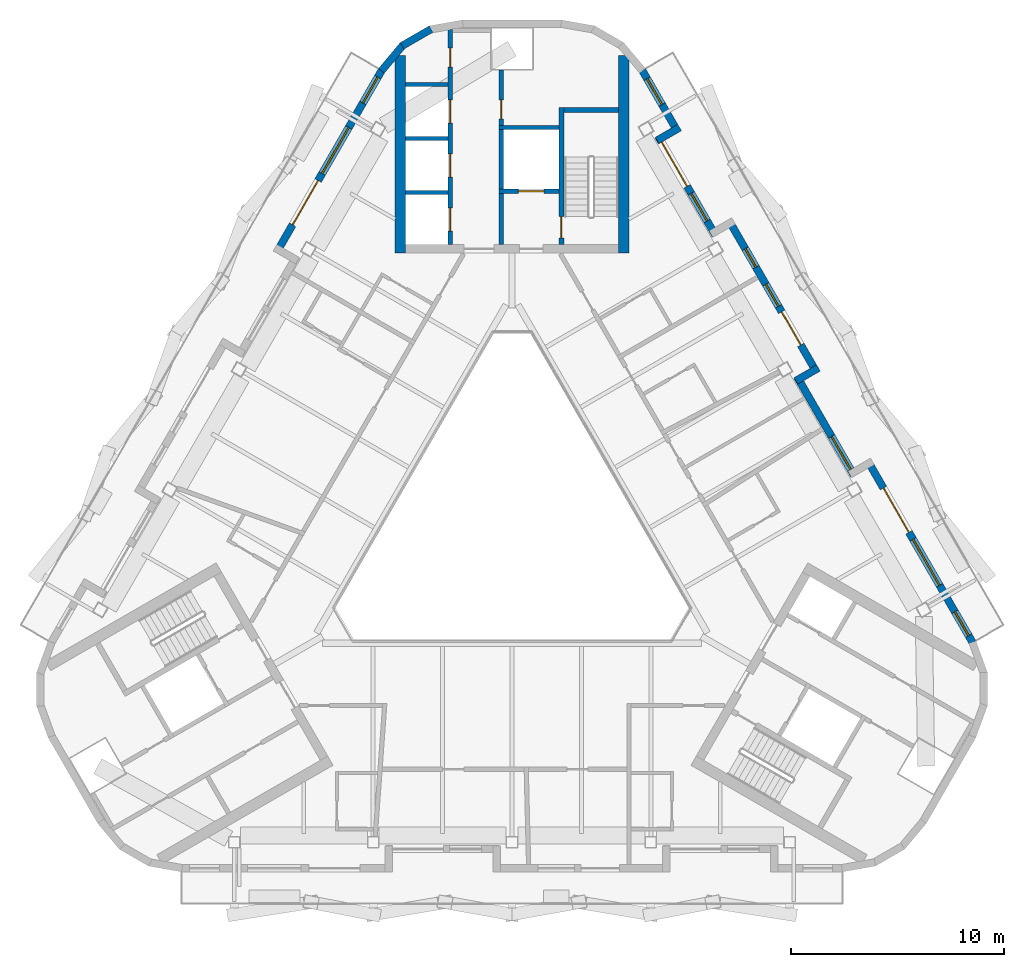
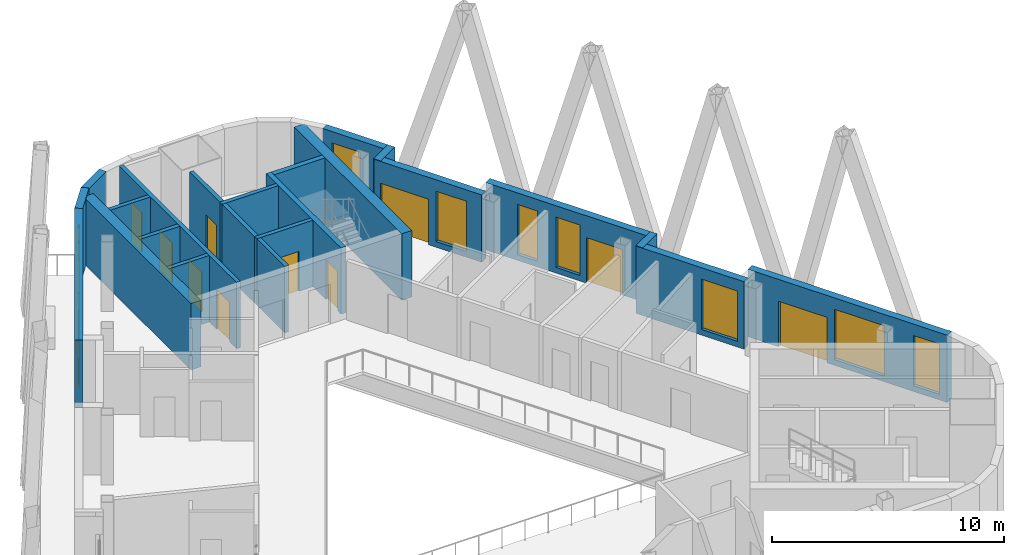
# One storey, part 6 of 11: 23 walls, 11 doors, 9 windows, 20 openings.
"""IFC4 building model written with IfcOpenShell, lengths in metres."""

from ifc_helpers import new_model, si_unit, direction, frame, frame_2d, origin, place, context, subcontext, project, spatial, rectangle, extrude, material, layer, layer_set, type_object, element, fill, save


model = new_model("IFC4")

# Units and contexts
model_context = context("Model", 3, precision=1e-05, world=origin(), true_north=direction((0.0, 1.0)))
body_context = subcontext(model_context, "Body", "Model", "MODEL_VIEW")
ifc_project = project(units=[si_unit("LENGTHUNIT", "METRE"), si_unit("AREAUNIT", "SQUARE_METRE"), si_unit("VOLUMEUNIT", "CUBIC_METRE"), si_unit("PLANEANGLEUNIT", "RADIAN"), si_unit("MASSUNIT", "GRAM", prefix="KILO")], contexts=[model_context])

# Site, building, storey
site_placement = place(None, origin())
site = spatial("IfcSite", under=ifc_project, at=site_placement, CompositionType="ELEMENT")
building_placement = place(site_placement, origin())
building = spatial("IfcBuilding", under=site, at=building_placement, Name="Apuvela Tower Hotel", CompositionType="ELEMENT")
storey_placement = place(building_placement, frame((0.0, 0.0, 313.300048828125)))
storey = spatial("IfcBuildingStorey", under=building, at=storey_placement, Name="L78", CompositionType="ELEMENT", Elevation=313.300048828125)

# Walls
ifc_material_1 = material(Name="Concrete C50/60", Category="concrete")
ifc_layer_1 = layer(ifc_material_1, 0.5)
ifc_layer_set_1 = layer_set([ifc_layer_1], Name="COR-WALL-CORE-500")
wall_type_1 = type_object("IfcWallType", Name="COR-WALL-CORE-500", PredefinedType="SHEAR", material=ifc_layer_set_1)
for number, where, z_axis, x_axis, name in (
    (1, (5.25, 12.89990234375, 0.0), (0.0, 0.0, 1.0), (0.0, 1.0, 0.0), "Core wall N"),
    (2, (-5.25, 12.89990234375, 0.0), (0.0, 0.0, 1.0), (0.0, 1.0, 0.0), "Core wall N"),
):
    element("IfcWall", number, at=place(storey_placement, frame(where, z_axis=z_axis, x_axis=x_axis)), inside=storey, type_object=wall_type_1, Name=name, PredefinedType="SHEAR", context=body_context, shape_type="SweptSolid", body=[
        extrude(rectangle(XDim=9.28271484375, YDim=0.5, at=frame_2d((4.641357421875, 0.0))), origin(), (0.0, 0.0, 1.0), 3.5),
    ])
ifc_layer_2 = layer(ifc_material_1, 0.199951171875)
ifc_layer_set_2 = layer_set([ifc_layer_2], Name="COR-WALL-SHAFT-200")
wall_type_2 = type_object("IfcWallType", Name="COR-WALL-SHAFT-200", PredefinedType="SHEAR", material=ifc_layer_set_2)
wall_1_placement = place(storey_placement, frame((2.199951171875, 18.800048828125, 0.0), z_axis=(0.0, 0.0, 1.0), x_axis=(-1.0, 0.0, 0.0)))
element("IfcWall", 3, at=wall_1_placement, inside=storey, type_object=wall_type_2, Name="Shaft wall N", PredefinedType="SHEAR", context=body_context, shape_type="SweptSolid", body=[
    extrude(rectangle(XDim=2.800048828125, YDim=0.199951171875, at=frame_2d((1.39990234375, 0.0))), origin(), (0.0, 0.0, 1.0), 3.5),
])

# Wall, opening, door
wall_2_placement = place(storey_placement, frame((2.199951171875, 15.800048828125, 0.0), z_axis=(0.0, 0.0, 1.0), x_axis=(-1.0, 0.0, 0.0)))
wall_2 = element("IfcWall", 4, at=wall_2_placement, inside=storey, type_object=wall_type_2, Name="Shaft wall N", PredefinedType="SHEAR", context=body_context, shape_type="SweptSolid", body=[
    extrude(rectangle(XDim=2.800048828125, YDim=0.199951171875, at=frame_2d((1.39990234375, 0.0))), origin(), (0.0, 0.0, 1.0), 3.5),
])
opening_1_placement = place(wall_2_placement, frame((0.699951171875, 0.0, 0.0)))
opening_1 = element("IfcOpeningElement", 5, at=opening_1_placement, cuts=wall_2, Name="Opening N-LD-FS1", PredefinedType="OPENING", context=body_context, shape_type="SweptSolid", body=[
    extrude(rectangle(XDim=1.199951171875, YDim=2.10009765625, at=frame_2d((0.60009765625, 1.050048828125))), frame((0.0, 0.10986328125, 0.0), z_axis=(0.0, -1.0, 0.0), x_axis=(1.0, 0.0, 0.0)), (0.0, 0.0, 1.0), 0.219970703125),
])
ifc_material_2 = material(Name="Stainless steel lift landing door", Category="steel")
door_type_1 = type_object("IfcDoorType", Name="COR-LD-1200", OperationType="DOUBLE_DOOR_SLIDING", PredefinedType="DOOR", material=ifc_material_2)
door_1_placement = place(opening_1_placement, origin())
door_1 = element("IfcDoor", 6, at=door_1_placement, inside=storey, type_object=door_type_1, Name="Lift landing door N-LD-FS1", OperationType="DOUBLE_DOOR_SLIDING", OverallHeight=2.10009765625, OverallWidth=1.199951171875, PredefinedType="DOOR", context=body_context, shape_type="SweptSolid", body=[
    extrude(rectangle(XDim=1.199951171875, YDim=2.10009765625, at=frame_2d((0.60009765625, 1.050048828125))), frame((0.0, 0.02490234375, 0.0), z_axis=(0.0, -1.0, 0.0), x_axis=(1.0, 0.0, 0.0)), (0.0, 0.0, 1.0), 0.050048828125),
])
fill(opening_1, door_1)

# Walls
wall_3_placement = place(storey_placement, frame((-0.5, 15.89990234375, 0.0), z_axis=(0.0, 0.0, 1.0), x_axis=(0.0, 1.0, 0.0)))
element("IfcWall", 7, at=wall_3_placement, inside=storey, type_object=wall_type_2, Name="Shaft wall N", PredefinedType="SHEAR", context=body_context, shape_type="SweptSolid", body=[
    extrude(rectangle(XDim=2.800048828125, YDim=0.199951171875, at=frame_2d((1.39990234375, 0.0))), origin(), (0.0, 0.0, 1.0), 3.5),
])
wall_4_placement = place(storey_placement, frame((-0.5, 13.300048828125, 0.0), z_axis=(0.0, 0.0, 1.0), x_axis=(0.0, 1.0, 0.0)))
element("IfcWall", 8, at=wall_4_placement, inside=storey, type_object=wall_type_2, Name="Shaft wall N", PredefinedType="SHEAR", context=body_context, shape_type="SweptSolid", body=[
    extrude(rectangle(XDim=2.39990234375, YDim=0.199951171875, at=frame_2d((1.199951171875, 0.0))), origin(), (0.0, 0.0, 1.0), 3.5),
])

# Wall, openings, doors
wall_5_placement = place(storey_placement, frame((-2.89990234375, 13.300048828125, 0.0), z_axis=(0.0, 0.0, 1.0), x_axis=(0.0, 1.0, 0.0)))
wall_5 = element("IfcWall", 9, at=wall_5_placement, inside=storey, type_object=wall_type_2, Name="Shaft wall N", PredefinedType="SHEAR", context=body_context, shape_type="SweptSolid", body=[
    extrude(rectangle(XDim=10.120849609375, YDim=0.199951171875, at=frame_2d((5.060546875, 0.0))), origin(), (0.0, 0.0, 1.0), 3.5),
])
opening_2_placement = place(wall_5_placement, frame((0.6201171875, 0.0, 0.0)))
opening_2 = element("IfcOpeningElement", 10, at=opening_2_placement, cuts=wall_5, Name="Opening N-LD-HR1", PredefinedType="OPENING", context=body_context, shape_type="SweptSolid", body=[
    extrude(rectangle(XDim=1.10009765625, YDim=2.10009765625, at=frame_2d((0.550048828125, 1.050048828125))), frame((0.0, 0.10986328125, 0.0), z_axis=(0.0, -1.0, 0.0), x_axis=(1.0, 0.0, 0.0)), (0.0, 0.0, 1.0), 0.219970703125),
])
opening_3_placement = place(wall_5_placement, frame((3.159912109375, 0.0, 0.0)))
opening_3 = element("IfcOpeningElement", 11, at=opening_3_placement, cuts=wall_5, Name="Opening N-LD-HR2", PredefinedType="OPENING", context=body_context, shape_type="SweptSolid", body=[
    extrude(rectangle(XDim=1.10009765625, YDim=2.10009765625, at=frame_2d((0.550048828125, 1.050048828125))), frame((0.0, 0.10986328125, 0.0), z_axis=(0.0, -1.0, 0.0), x_axis=(1.0, 0.0, 0.0)), (0.0, 0.0, 1.0), 0.219970703125),
])
opening_4_placement = place(wall_5_placement, frame((5.699951171875, 0.0, 0.0)))
opening_4 = element("IfcOpeningElement", 12, at=opening_4_placement, cuts=wall_5, Name="Opening N-LD-HR4", PredefinedType="OPENING", context=body_context, shape_type="SweptSolid", body=[
    extrude(rectangle(XDim=1.10009765625, YDim=2.10009765625, at=frame_2d((0.550048828125, 1.050048828125))), frame((0.0, 0.10986328125, 0.0), z_axis=(0.0, -1.0, 0.0), x_axis=(1.0, 0.0, 0.0)), (0.0, 0.0, 1.0), 0.219970703125),
])
opening_5_placement = place(wall_5_placement, frame((8.340087890625, 0.0, 0.0)))
opening_5 = element("IfcOpeningElement", 13, at=opening_5_placement, cuts=wall_5, Name="Opening N-RE4", PredefinedType="OPENING", context=body_context, shape_type="SweptSolid", body=[
    extrude(rectangle(XDim=0.89990234375, YDim=2.10009765625, at=frame_2d((0.449951171875, 1.050048828125))), frame((0.0, 0.10986328125, 0.0), z_axis=(0.0, -1.0, 0.0), x_axis=(1.0, 0.0, 0.0)), (0.0, 0.0, 1.0), 0.219970703125),
])
ifc_material_3 = material(Name="Steel fire door, powder coated", Category="steel")
door_type_2 = type_object("IfcDoorType", Name="COR-DR-900", OperationType="NOTDEFINED", PredefinedType="DOOR", material=ifc_material_3)
door_2_placement = place(opening_5_placement, origin())
door_2 = element("IfcDoor", 14, at=door_2_placement, inside=storey, type_object=door_type_2, Name="Store door N-RE4", OperationType="SINGLE_SWING_LEFT", OverallHeight=2.10009765625, OverallWidth=0.89990234375, PredefinedType="DOOR", context=body_context, shape_type="SweptSolid", body=[
    extrude(rectangle(XDim=0.89990234375, YDim=2.10009765625, at=frame_2d((0.449951171875, 1.050048828125))), frame((0.0, 0.02490234375, 0.0), z_axis=(0.0, -1.0, 0.0), x_axis=(1.0, 0.0, 0.0)), (0.0, 0.0, 1.0), 0.050048828125),
])
fill(opening_5, door_2)
door_type_3 = type_object("IfcDoorType", Name="COR-LD-1100", OperationType="DOUBLE_DOOR_SLIDING", PredefinedType="DOOR", material=ifc_material_2)
door_3_placement = place(opening_2_placement, origin())
door_3 = element("IfcDoor", 15, at=door_3_placement, inside=storey, type_object=door_type_3, Name="Lift landing door N-LD-HR1", OperationType="DOUBLE_DOOR_SLIDING", OverallHeight=2.10009765625, OverallWidth=1.10009765625, PredefinedType="DOOR", context=body_context, shape_type="SweptSolid", body=[
    extrude(rectangle(XDim=1.10009765625, YDim=2.10009765625, at=frame_2d((0.550048828125, 1.050048828125))), frame((0.0, 0.02490234375, 0.0), z_axis=(0.0, -1.0, 0.0), x_axis=(1.0, 0.0, 0.0)), (0.0, 0.0, 1.0), 0.050048828125),
])
fill(opening_2, door_3)
door_4_placement = place(opening_3_placement, origin())
door_4 = element("IfcDoor", 16, at=door_4_placement, inside=storey, type_object=door_type_3, Name="Lift landing door N-LD-HR2", OperationType="DOUBLE_DOOR_SLIDING", OverallHeight=2.10009765625, OverallWidth=1.10009765625, PredefinedType="DOOR", context=body_context, shape_type="SweptSolid", body=[
    extrude(rectangle(XDim=1.10009765625, YDim=2.10009765625, at=frame_2d((0.550048828125, 1.050048828125))), frame((0.0, 0.02490234375, 0.0), z_axis=(0.0, -1.0, 0.0), x_axis=(1.0, 0.0, 0.0)), (0.0, 0.0, 1.0), 0.050048828125),
])
fill(opening_3, door_4)
door_5_placement = place(opening_4_placement, origin())
door_5 = element("IfcDoor", 17, at=door_5_placement, inside=storey, type_object=door_type_3, Name="Lift landing door N-LD-HR4", OperationType="DOUBLE_DOOR_SLIDING", OverallHeight=2.10009765625, OverallWidth=1.10009765625, PredefinedType="DOOR", context=body_context, shape_type="SweptSolid", body=[
    extrude(rectangle(XDim=1.10009765625, YDim=2.10009765625, at=frame_2d((0.550048828125, 1.050048828125))), frame((0.0, 0.02490234375, 0.0), z_axis=(0.0, -1.0, 0.0), x_axis=(1.0, 0.0, 0.0)), (0.0, 0.0, 1.0), 0.050048828125),
])
fill(opening_4, door_5)

# Wall, opening, door
wall_6_placement = place(storey_placement, frame((-0.5, 18.89990234375, 0.0), z_axis=(0.0, 0.0, 1.0), x_axis=(0.0, 1.0, 0.0)))
wall_6 = element("IfcWall", 18, at=wall_6_placement, inside=storey, type_object=wall_type_2, Name="Shaft wall N", PredefinedType="SHEAR", context=body_context, shape_type="SweptSolid", body=[
    extrude(rectangle(XDim=2.607666015625, YDim=0.199951171875, at=frame_2d((1.3037109375, 0.0))), origin(), (0.0, 0.0, 1.0), 3.5),
])
opening_6_placement = place(wall_6_placement, frame((0.300048828125, 0.0, 0.0)))
opening_6 = element("IfcOpeningElement", 19, at=opening_6_placement, cuts=wall_6, Name="Opening N-RDU", PredefinedType="OPENING", context=body_context, shape_type="SweptSolid", body=[
    extrude(rectangle(XDim=0.89990234375, YDim=2.10009765625, at=frame_2d((0.449951171875, 1.050048828125))), frame((0.0, 0.10986328125, 0.0), z_axis=(0.0, -1.0, 0.0), x_axis=(1.0, 0.0, 0.0)), (0.0, 0.0, 1.0), 0.219970703125),
])
door_6_placement = place(opening_6_placement, frame((0.89990234375, 0.0, 0.0), z_axis=(0.0, 0.0, 1.0), x_axis=(-1.0, 0.0, 0.0)))
door_6 = element("IfcDoor", 20, at=door_6_placement, inside=storey, type_object=door_type_2, Name="Store door N-RDU", OperationType="SINGLE_SWING_RIGHT", OverallHeight=2.10009765625, OverallWidth=0.89990234375, PredefinedType="DOOR", context=body_context, shape_type="SweptSolid", body=[
    extrude(rectangle(XDim=0.89990234375, YDim=2.10009765625, at=frame_2d((0.449951171875, 1.050048828125))), frame((0.0, 0.02490234375, 0.0), z_axis=(0.0, -1.0, 0.0), x_axis=(1.0, 0.0, 0.0)), (0.0, 0.0, 1.0), 0.050048828125),
])
fill(opening_6, door_6)

# Walls
for number, where, z_axis, x_axis, name in (
    (21, (-3.0, 15.739990234375, 0.0), (0.0, 0.0, 1.0), (-1.0, 0.0, 0.0), "Shaft wall N"),
    (22, (-3.0, 18.280029296875, 0.0), (0.0, 0.0, 1.0), (-1.0, 0.0, 0.0), "Shaft wall N"),
    (23, (-3.0, 20.820068359375, 0.0), (0.0, 0.0, 1.0), (-1.0, 0.0, 0.0), "Shaft wall N"),
):
    element("IfcWall", number, at=place(storey_placement, frame(where, z_axis=z_axis, x_axis=x_axis)), inside=storey, type_object=wall_type_2, Name=name, PredefinedType="SHEAR", context=body_context, shape_type="SweptSolid", body=[
        extrude(rectangle(XDim=2.0, YDim=0.199951171875, at=frame_2d((1.0, 0.0))), origin(), (0.0, 0.0, 1.0), 3.5),
    ])

# Wall, opening, door
ifc_layer_3 = layer(ifc_material_1, 0.25)
ifc_layer_set_3 = layer_set([ifc_layer_3], Name="COR-WALL-STAIR-250")
wall_type_3 = type_object("IfcWallType", Name="COR-WALL-STAIR-250", PredefinedType="SHEAR", material=ifc_layer_set_3)
wall_7_placement = place(storey_placement, frame((2.324951171875, 13.300048828125, 0.0), z_axis=(0.0, 0.0, 1.0), x_axis=(0.0, 1.0, 0.0)))
wall_7 = element("IfcWall", 24, at=wall_7_placement, inside=storey, type_object=wall_type_3, Name="Stair wall N", PredefinedType="SHEAR", context=body_context, shape_type="SweptSolid", body=[
    extrude(rectangle(XDim=6.449951171875, YDim=0.25, at=frame_2d((3.22509765625, 0.0))), origin(), (0.0, 0.0, 1.0), 3.5),
])
opening_7_placement = place(wall_7_placement, frame((0.300048828125, 0.0, 0.0)))
opening_7 = element("IfcOpeningElement", 25, at=opening_7_placement, cuts=wall_7, Name="Opening N-SD", PredefinedType="OPENING", context=body_context, shape_type="SweptSolid", body=[
    extrude(rectangle(XDim=1.0, YDim=2.10009765625, at=frame_2d((0.5, 1.050048828125))), frame((0.0, 0.135009765625, 0.0), z_axis=(0.0, -1.0, 0.0), x_axis=(1.0, 0.0, 0.0)), (0.0, 0.0, 1.0), 0.27001953125),
])
door_type_4 = type_object("IfcDoorType", Name="COR-SD-1000", OperationType="NOTDEFINED", PredefinedType="DOOR", material=ifc_material_3)
door_7_placement = place(opening_7_placement, frame((1.0, 0.0, 0.0), z_axis=(0.0, 0.0, 1.0), x_axis=(-1.0, 0.0, 0.0)))
door_7 = element("IfcDoor", 26, at=door_7_placement, inside=storey, type_object=door_type_4, Name="Stair door N-SD", OperationType="SINGLE_SWING_LEFT", OverallHeight=2.10009765625, OverallWidth=1.0, PredefinedType="DOOR", context=body_context, shape_type="SweptSolid", body=[
    extrude(rectangle(XDim=1.0, YDim=2.10009765625, at=frame_2d((0.5, 1.050048828125))), frame((0.0, 0.02490234375, 0.0), z_axis=(0.0, -1.0, 0.0), x_axis=(1.0, 0.0, 0.0)), (0.0, 0.0, 1.0), 0.050048828125),
])
fill(opening_7, door_7)

# Wall
wall_8_placement = place(storey_placement, frame((5.0, 19.625, 0.0), z_axis=(0.0, 0.0, 1.0), x_axis=(-1.0, 0.0, 0.0)))
element("IfcWall", 27, at=wall_8_placement, inside=storey, type_object=wall_type_3, Name="Stair wall N", PredefinedType="SHEAR", context=body_context, shape_type="SweptSolid", body=[
    extrude(rectangle(XDim=2.550048828125, YDim=0.25, at=frame_2d((1.27490234375, 0.0))), origin(), (0.0, 0.0, 1.0), 3.5),
])

# Wall, openings, door, windows
ifc_material_4 = material(Name="Concrete C40/50, dark pigmented precast panel", Category="concrete")
ifc_layer_4 = layer(ifc_material_4, 0.35009765625)
ifc_layer_set_4 = layer_set([ifc_layer_4], Name="ENV-WALL-350")
wall_type_4 = type_object("IfcWallType", Name="ENV-WALL-350", PredefinedType="SOLIDWALL", material=ifc_layer_set_4)
wall_9_placement = place(storey_placement, frame((-6.12451171875, 21.496826171875, 0.0), z_axis=(0.0, 0.0, 1.0), x_axis=(-0.500002137087, -0.866024169933, 0.0)))
wall_9 = element("IfcWall", 28, at=wall_9_placement, inside=storey, type_object=wall_type_4, Name="External wall L78-01", PredefinedType="SOLIDWALL", context=body_context, shape_type="SweptSolid", body=[
    extrude(rectangle(XDim=9.923828125, YDim=0.35009765625, at=frame_2d((4.9619140625, 0.0))), origin(), (0.0, 0.0, 1.0), 3.550048828125),
])
opening_8_placement = place(wall_9_placement, frame((0.380615234375, 0.0, 0.300048828125)))
opening_8 = element("IfcOpeningElement", 29, at=opening_8_placement, cuts=wall_9, Name="Opening WN14", PredefinedType="OPENING", context=body_context, shape_type="SweptSolid", body=[
    extrude(rectangle(XDim=1.39990234375, YDim=2.64990234375, at=frame_2d((0.699951171875, 1.324951171875))), frame((0.0, 0.18505859375, 0.0), z_axis=(0.0, -1.0, 0.0), x_axis=(1.0, 0.0, 0.0)), (0.0, 0.0, 1.0), 0.3701171875),
])
opening_9_placement = place(wall_9_placement, frame((5.99853515625, 0.0, 0.0)))
opening_9 = element("IfcOpeningElement", 30, at=opening_9_placement, cuts=wall_9, Name="Opening BD24", PredefinedType="OPENING", context=body_context, shape_type="SweptSolid", body=[
    extrude(rectangle(XDim=2.39990234375, YDim=2.39990234375, at=frame_2d((1.199951171875, 1.199951171875))), frame((0.0, 0.18505859375, 0.0), z_axis=(0.0, -1.0, 0.0), x_axis=(1.0, 0.0, 0.0)), (0.0, 0.0, 1.0), 0.3701171875),
])
opening_10_placement = place(wall_9_placement, frame((3.118408203125, 0.0, 0.300048828125)))
opening_10 = element("IfcOpeningElement", 31, at=opening_10_placement, cuts=wall_9, Name="Opening WN25", PredefinedType="OPENING", context=body_context, shape_type="SweptSolid", body=[
    extrude(rectangle(XDim=2.5, YDim=2.64990234375, at=frame_2d((1.25, 1.324951171875))), frame((0.0, 0.18505859375, 0.0), z_axis=(0.0, -1.0, 0.0), x_axis=(1.0, 0.0, 0.0)), (0.0, 0.0, 1.0), 0.3701171875),
])
ifc_material_5 = material(Name="Aluminium 6063-T6, dark bronze anodised frame with dark tinted laminated glass", Category="aluminium")
door_type_5 = type_object("IfcDoorType", Name="ENV-DOOR-BALCONY-2400x2400", OperationType="SLIDING_TO_LEFT", PredefinedType="DOOR", material=ifc_material_5)
door_8_placement = place(opening_9_placement, frame((2.39990234375, 0.0, 0.0), z_axis=(0.0, 0.0, 1.0), x_axis=(-1.0, 0.0, 0.0)))
door_8 = element("IfcDoor", 32, at=door_8_placement, inside=storey, type_object=door_type_5, Name="Balcony door BD24", OperationType="SLIDING_TO_LEFT", OverallHeight=2.39990234375, OverallWidth=2.39990234375, PredefinedType="DOOR", context=body_context, shape_type="SweptSolid", body=[
    extrude(rectangle(XDim=2.39990234375, YDim=2.39990234375, at=frame_2d((1.199951171875, 1.199951171875))), frame((0.0, 0.02490234375, 0.0), z_axis=(0.0, -1.0, 0.0), x_axis=(1.0, 0.0, 0.0)), (0.0, 0.0, 1.0), 0.050048828125),
])
fill(opening_9, door_8)
ifc_material_6 = material(Name="Glass, dark tinted laminated insulated glazing unit", Category="glass")
window_type_1 = type_object("IfcWindowType", Name="ENV-WIN-1400x2650", PartitioningType="SINGLE_PANEL", PredefinedType="WINDOW", material=ifc_material_6)
window_1_placement = place(opening_8_placement, origin())
window_1 = element("IfcWindow", 33, at=window_1_placement, inside=storey, type_object=window_type_1, Name="Window WN14", OverallHeight=2.64990234375, OverallWidth=1.39990234375, PartitioningType="SINGLE_PANEL", PredefinedType="WINDOW", context=body_context, shape_type="SweptSolid", body=[
    extrude(rectangle(XDim=1.39990234375, YDim=2.64990234375, at=frame_2d((0.699951171875, 1.324951171875))), frame((0.0, 0.030029296875, 0.0), z_axis=(0.0, -1.0, 0.0), x_axis=(1.0, 0.0, 0.0)), (0.0, 0.0, 1.0), 0.06005859375),
])
fill(opening_8, window_1)
window_type_2 = type_object("IfcWindowType", Name="ENV-WIN-2500x2650", PartitioningType="SINGLE_PANEL", PredefinedType="WINDOW", material=ifc_material_6)
window_2_placement = place(opening_10_placement, origin())
window_2 = element("IfcWindow", 34, at=window_2_placement, inside=storey, type_object=window_type_2, Name="Window WN25", OverallHeight=2.64990234375, OverallWidth=2.5, PartitioningType="SINGLE_PANEL", PredefinedType="WINDOW", context=body_context, shape_type="SweptSolid", body=[
    extrude(rectangle(XDim=2.5, YDim=2.64990234375, at=frame_2d((1.25, 1.324951171875))), frame((0.0, 0.030029296875, 0.0), z_axis=(0.0, -1.0, 0.0), x_axis=(1.0, 0.0, 0.0)), (0.0, 0.0, 1.0), 0.06005859375),
])
fill(opening_10, window_2)

wall_10_placement = place(storey_placement, frame((21.67919921875, -5.4443359375, 0.0), z_axis=(0.0, 0.0, 1.0), x_axis=(-0.500020587865, 0.866013517049, 0.0)))
wall_10 = element("IfcWall", 35, at=wall_10_placement, inside=storey, type_object=wall_type_4, Name="External wall L78-33", PredefinedType="SOLIDWALL", context=body_context, shape_type="SweptSolid", body=[
    extrude(rectangle(XDim=9.923828125, YDim=0.35009765625, at=frame_2d((4.9619140625, 0.0))), origin(), (0.0, 0.0, 1.0), 3.550048828125),
])
opening_11_placement = place(wall_10_placement, frame((0.381103515625, 0.0, 0.300048828125)))
opening_11 = element("IfcOpeningElement", 36, at=opening_11_placement, cuts=wall_10, Name="Opening WN13", PredefinedType="OPENING", context=body_context, shape_type="SweptSolid", body=[
    extrude(rectangle(XDim=1.300048828125, YDim=2.64990234375, at=frame_2d((0.64990234375, 1.324951171875))), frame((0.0, 0.18505859375, 0.0), z_axis=(0.0, -1.0, 0.0), x_axis=(1.0, 0.0, 0.0)), (0.0, 0.0, 1.0), 0.3701171875),
])
opening_12_placement = place(wall_10_placement, frame((5.99853515625, 0.0, 0.0)))
opening_12 = element("IfcOpeningElement", 37, at=opening_12_placement, cuts=wall_10, Name="Opening BD24", PredefinedType="OPENING", context=body_context, shape_type="SweptSolid", body=[
    extrude(rectangle(XDim=2.39990234375, YDim=2.39990234375, at=frame_2d((1.199951171875, 1.199951171875))), frame((0.0, 0.18505859375, 0.0), z_axis=(0.0, -1.0, 0.0), x_axis=(1.0, 0.0, 0.0)), (0.0, 0.0, 1.0), 0.3701171875),
])
opening_13_placement = place(wall_10_placement, frame((3.117919921875, 0.0, 0.300048828125)))
opening_13 = element("IfcOpeningElement", 38, at=opening_13_placement, cuts=wall_10, Name="Opening WN25", PredefinedType="OPENING", context=body_context, shape_type="SweptSolid", body=[
    extrude(rectangle(XDim=2.5, YDim=2.64990234375, at=frame_2d((1.25, 1.324951171875))), frame((0.0, 0.18505859375, 0.0), z_axis=(0.0, -1.0, 0.0), x_axis=(1.0, 0.0, 0.0)), (0.0, 0.0, 1.0), 0.3701171875),
])
door_9_placement = place(opening_12_placement, frame((2.39990234375, 0.0, 0.0), z_axis=(0.0, 0.0, 1.0), x_axis=(-1.0, 0.0, 0.0)))
door_9 = element("IfcDoor", 39, at=door_9_placement, inside=storey, type_object=door_type_5, Name="Balcony door BD24", OperationType="SLIDING_TO_LEFT", OverallHeight=2.39990234375, OverallWidth=2.39990234375, PredefinedType="DOOR", context=body_context, shape_type="SweptSolid", body=[
    extrude(rectangle(XDim=2.39990234375, YDim=2.39990234375, at=frame_2d((1.199951171875, 1.199951171875))), frame((0.0, 0.02490234375, 0.0), z_axis=(0.0, -1.0, 0.0), x_axis=(1.0, 0.0, 0.0)), (0.0, 0.0, 1.0), 0.050048828125),
])
fill(opening_12, door_9)
window_type_3 = type_object("IfcWindowType", Name="ENV-WIN-1300x2650", PartitioningType="SINGLE_PANEL", PredefinedType="WINDOW", material=ifc_material_6)
window_3_placement = place(opening_11_placement, origin())
window_3 = element("IfcWindow", 40, at=window_3_placement, inside=storey, type_object=window_type_3, Name="Window WN13", OverallHeight=2.64990234375, OverallWidth=1.300048828125, PartitioningType="SINGLE_PANEL", PredefinedType="WINDOW", context=body_context, shape_type="SweptSolid", body=[
    extrude(rectangle(XDim=1.300048828125, YDim=2.64990234375, at=frame_2d((0.64990234375, 1.324951171875))), frame((0.0, 0.030029296875, 0.0), z_axis=(0.0, -1.0, 0.0), x_axis=(1.0, 0.0, 0.0)), (0.0, 0.0, 1.0), 0.06005859375),
])
fill(opening_11, window_3)
window_4_placement = place(opening_13_placement, origin())
window_4 = element("IfcWindow", 41, at=window_4_placement, inside=storey, type_object=window_type_2, Name="Window WN25", OverallHeight=2.64990234375, OverallWidth=2.5, PartitioningType="SINGLE_PANEL", PredefinedType="WINDOW", context=body_context, shape_type="SweptSolid", body=[
    extrude(rectangle(XDim=2.5, YDim=2.64990234375, at=frame_2d((1.25, 1.324951171875))), frame((0.0, 0.030029296875, 0.0), z_axis=(0.0, -1.0, 0.0), x_axis=(1.0, 0.0, 0.0)), (0.0, 0.0, 1.0), 0.06005859375),
])
fill(opening_13, window_4)

# Wall, opening, window
wall_11_placement = place(storey_placement, frame((16.09765625, 2.4228515625, 0.0), z_axis=(0.0, 0.0, 1.0), x_axis=(-0.499996591357, 0.866027371756, 0.0)))
wall_11 = element("IfcWall", 42, at=wall_11_placement, inside=storey, type_object=wall_type_4, Name="External wall L78-35", PredefinedType="SOLIDWALL", context=body_context, shape_type="SweptSolid", body=[
    extrude(rectangle(XDim=5.37060546875, YDim=0.35009765625, at=frame_2d((2.685302734375, 0.0))), origin(), (0.0, 0.0, 1.0), 3.550048828125),
])
opening_14_placement = place(wall_11_placement, frame((0.3203125, 0.0, 0.300048828125)))
opening_14 = element("IfcOpeningElement", 43, at=opening_14_placement, cuts=wall_11, Name="Opening WN18", PredefinedType="OPENING", context=body_context, shape_type="SweptSolid", body=[
    extrude(rectangle(XDim=1.800048828125, YDim=2.64990234375, at=frame_2d((0.89990234375, 1.324951171875))), frame((0.0, 0.18505859375, 0.0), z_axis=(0.0, -1.0, 0.0), x_axis=(1.0, 0.0, 0.0)), (0.0, 0.0, 1.0), 0.3701171875),
])
window_type_4 = type_object("IfcWindowType", Name="ENV-WIN-1800x2650", PartitioningType="SINGLE_PANEL", PredefinedType="WINDOW", material=ifc_material_6)
window_5_placement = place(opening_14_placement, origin())
window_5 = element("IfcWindow", 44, at=window_5_placement, inside=storey, type_object=window_type_4, Name="Window WN18", OverallHeight=2.64990234375, OverallWidth=1.800048828125, PartitioningType="SINGLE_PANEL", PredefinedType="WINDOW", context=body_context, shape_type="SweptSolid", body=[
    extrude(rectangle(XDim=1.800048828125, YDim=2.64990234375, at=frame_2d((0.89990234375, 1.324951171875))), frame((0.0, 0.030029296875, 0.0), z_axis=(0.0, -1.0, 0.0), x_axis=(1.0, 0.0, 0.0)), (0.0, 0.0, 1.0), 0.06005859375),
])
fill(opening_14, window_5)

# Wall
wall_12_placement = place(storey_placement, frame((13.359375, 6.8759765625, 0.0), z_axis=(0.0, 0.0, 1.0), x_axis=(0.866092288191, 0.499884134912, 0.0)))
element("IfcWall", 45, at=wall_12_placement, inside=storey, type_object=wall_type_4, Name="External wall L78-36", PredefinedType="SOLIDWALL", context=body_context, shape_type="SweptSolid", body=[
    extrude(rectangle(XDim=1.219970703125, YDim=0.35009765625, at=frame_2d((0.60986328125, 0.0))), origin(), (0.0, 0.0, 1.0), 3.550048828125),
])

# Wall, openings, door, windows
wall_13_placement = place(storey_placement, frame((14.351806640625, 7.246826171875, 0.0), z_axis=(0.0, 0.0, 1.0), x_axis=(-0.499993893925, 0.8660289291, 0.0)))
wall_13 = element("IfcWall", 46, at=wall_13_placement, inside=storey, type_object=wall_type_4, Name="External wall L78-37", PredefinedType="SOLIDWALL", context=body_context, shape_type="SweptSolid", body=[
    extrude(rectangle(XDim=8.33056640625, YDim=0.35009765625, at=frame_2d((4.165283203125, 0.0))), origin(), (0.0, 0.0, 1.0), 3.550048828125),
])
opening_15_placement = place(wall_13_placement, frame((1.524658203125, 0.0, 0.0)))
opening_15 = element("IfcOpeningElement", 47, at=opening_15_placement, cuts=wall_13, Name="Opening BD18", PredefinedType="OPENING", context=body_context, shape_type="SweptSolid", body=[
    extrude(rectangle(XDim=1.800048828125, YDim=2.39990234375, at=frame_2d((0.89990234375, 1.199951171875))), frame((0.0, 0.18505859375, 0.0), z_axis=(0.0, -1.0, 0.0), x_axis=(1.0, 0.0, 0.0)), (0.0, 0.0, 1.0), 0.3701171875),
])
opening_16_placement = place(wall_13_placement, frame((3.62451171875, 0.0, 0.300048828125)))
opening_16 = element("IfcOpeningElement", 48, at=opening_16_placement, cuts=wall_13, Name="Opening WN12", PredefinedType="OPENING", context=body_context, shape_type="SweptSolid", body=[
    extrude(rectangle(XDim=1.199951171875, YDim=2.64990234375, at=frame_2d((0.60009765625, 1.324951171875))), frame((0.0, 0.18505859375, 0.0), z_axis=(0.0, -1.0, 0.0), x_axis=(1.0, 0.0, 0.0)), (0.0, 0.0, 1.0), 0.3701171875),
])
opening_17_placement = place(wall_13_placement, frame((5.750244140625, 0.0, 0.300048828125)))
opening_17 = element("IfcOpeningElement", 49, at=opening_17_placement, cuts=wall_13, Name="Opening WN10", PredefinedType="OPENING", context=body_context, shape_type="SweptSolid", body=[
    extrude(rectangle(XDim=1.0, YDim=2.64990234375, at=frame_2d((0.5, 1.324951171875))), frame((0.0, 0.18505859375, 0.0), z_axis=(0.0, -1.0, 0.0), x_axis=(1.0, 0.0, 0.0)), (0.0, 0.0, 1.0), 0.3701171875),
])
door_type_6 = type_object("IfcDoorType", Name="ENV-DOOR-BALCONY-1800x2400", OperationType="SLIDING_TO_LEFT", PredefinedType="DOOR", material=ifc_material_5)
door_10_placement = place(opening_15_placement, frame((1.800048828125, 0.0, 0.0), z_axis=(0.0, 0.0, 1.0), x_axis=(-1.0, 0.0, 0.0)))
door_10 = element("IfcDoor", 50, at=door_10_placement, inside=storey, type_object=door_type_6, Name="Balcony door BD18", OperationType="SLIDING_TO_LEFT", OverallHeight=2.39990234375, OverallWidth=1.800048828125, PredefinedType="DOOR", context=body_context, shape_type="SweptSolid", body=[
    extrude(rectangle(XDim=1.800048828125, YDim=2.39990234375, at=frame_2d((0.89990234375, 1.199951171875))), frame((0.0, 0.02490234375, 0.0), z_axis=(0.0, -1.0, 0.0), x_axis=(1.0, 0.0, 0.0)), (0.0, 0.0, 1.0), 0.050048828125),
])
fill(opening_15, door_10)
window_type_5 = type_object("IfcWindowType", Name="ENV-WIN-1000x2650", PartitioningType="SINGLE_PANEL", PredefinedType="WINDOW", material=ifc_material_6)
window_6_placement = place(opening_17_placement, origin())
window_6 = element("IfcWindow", 51, at=window_6_placement, inside=storey, type_object=window_type_5, Name="Window WN10", OverallHeight=2.64990234375, OverallWidth=1.0, PartitioningType="SINGLE_PANEL", PredefinedType="WINDOW", context=body_context, shape_type="SweptSolid", body=[
    extrude(rectangle(XDim=1.0, YDim=2.64990234375, at=frame_2d((0.5, 1.324951171875))), frame((0.0, 0.030029296875, 0.0), z_axis=(0.0, -1.0, 0.0), x_axis=(1.0, 0.0, 0.0)), (0.0, 0.0, 1.0), 0.06005859375),
])
fill(opening_17, window_6)
window_type_6 = type_object("IfcWindowType", Name="ENV-WIN-1200x2650", PartitioningType="SINGLE_PANEL", PredefinedType="WINDOW", material=ifc_material_6)
window_7_placement = place(opening_16_placement, origin())
window_7 = element("IfcWindow", 52, at=window_7_placement, inside=storey, type_object=window_type_6, Name="Window WN12", OverallHeight=2.64990234375, OverallWidth=1.199951171875, PartitioningType="SINGLE_PANEL", PredefinedType="WINDOW", context=body_context, shape_type="SweptSolid", body=[
    extrude(rectangle(XDim=1.199951171875, YDim=2.64990234375, at=frame_2d((0.60009765625, 1.324951171875))), frame((0.0, 0.030029296875, 0.0), z_axis=(0.0, -1.0, 0.0), x_axis=(1.0, 0.0, 0.0)), (0.0, 0.0, 1.0), 0.06005859375),
])
fill(opening_16, window_7)

# Wall, openings, door, window
wall_14_placement = place(storey_placement, frame((9.56689453125, 13.734375, 0.0), z_axis=(0.0, 0.0, 1.0), x_axis=(-0.499996591357, 0.866027371756, 0.0)))
wall_14 = element("IfcWall", 53, at=wall_14_placement, inside=storey, type_object=wall_type_4, Name="External wall L78-39", PredefinedType="SOLIDWALL", context=body_context, shape_type="SweptSolid", body=[
    extrude(rectangle(XDim=5.37060546875, YDim=0.35009765625, at=frame_2d((2.685302734375, 0.0))), origin(), (0.0, 0.0, 1.0), 3.550048828125),
])
opening_18_placement = place(wall_14_placement, frame((2.650390625, 0.0, 0.0)))
opening_18 = element("IfcOpeningElement", 54, at=opening_18_placement, cuts=wall_14, Name="Opening BD24", PredefinedType="OPENING", context=body_context, shape_type="SweptSolid", body=[
    extrude(rectangle(XDim=2.39990234375, YDim=2.39990234375, at=frame_2d((1.199951171875, 1.199951171875))), frame((0.0, 0.18505859375, 0.0), z_axis=(0.0, -1.0, 0.0), x_axis=(1.0, 0.0, 0.0)), (0.0, 0.0, 1.0), 0.3701171875),
])
opening_19_placement = place(wall_14_placement, frame((0.77001953125, 0.0, 0.300048828125)))
opening_19 = element("IfcOpeningElement", 55, at=opening_19_placement, cuts=wall_14, Name="Opening WN15", PredefinedType="OPENING", context=body_context, shape_type="SweptSolid", body=[
    extrude(rectangle(XDim=1.5, YDim=2.64990234375, at=frame_2d((0.75, 1.324951171875))), frame((0.0, 0.18505859375, 0.0), z_axis=(0.0, -1.0, 0.0), x_axis=(1.0, 0.0, 0.0)), (0.0, 0.0, 1.0), 0.3701171875),
])
door_11_placement = place(opening_18_placement, frame((2.39990234375, 0.0, 0.0), z_axis=(0.0, 0.0, 1.0), x_axis=(-1.0, 0.0, 0.0)))
door_11 = element("IfcDoor", 56, at=door_11_placement, inside=storey, type_object=door_type_5, Name="Balcony door BD24", OperationType="SLIDING_TO_LEFT", OverallHeight=2.39990234375, OverallWidth=2.39990234375, PredefinedType="DOOR", context=body_context, shape_type="SweptSolid", body=[
    extrude(rectangle(XDim=2.39990234375, YDim=2.39990234375, at=frame_2d((1.199951171875, 1.199951171875))), frame((0.0, 0.02490234375, 0.0), z_axis=(0.0, -1.0, 0.0), x_axis=(1.0, 0.0, 0.0)), (0.0, 0.0, 1.0), 0.050048828125),
])
fill(opening_18, door_11)
window_type_7 = type_object("IfcWindowType", Name="ENV-WIN-1500x2650", PartitioningType="SINGLE_PANEL", PredefinedType="WINDOW", material=ifc_material_6)
window_8_placement = place(opening_19_placement, origin())
window_8 = element("IfcWindow", 57, at=window_8_placement, inside=storey, type_object=window_type_7, Name="Window WN15", OverallHeight=2.64990234375, OverallWidth=1.5, PartitioningType="SINGLE_PANEL", PredefinedType="WINDOW", context=body_context, shape_type="SweptSolid", body=[
    extrude(rectangle(XDim=1.5, YDim=2.64990234375, at=frame_2d((0.75, 1.324951171875))), frame((0.0, 0.030029296875, 0.0), z_axis=(0.0, -1.0, 0.0), x_axis=(1.0, 0.0, 0.0)), (0.0, 0.0, 1.0), 0.06005859375),
])
fill(opening_19, window_8)

# Wall
wall_15_placement = place(storey_placement, frame((6.82861328125, 18.1875, 0.0), z_axis=(0.0, 0.0, 1.0), x_axis=(0.866042269935, 0.499970785833, 0.0)))
element("IfcWall", 58, at=wall_15_placement, inside=storey, type_object=wall_type_4, Name="External wall L78-40", PredefinedType="SOLIDWALL", context=body_context, shape_type="SweptSolid", body=[
    extrude(rectangle(XDim=1.2197265625, YDim=0.35009765625, at=frame_2d((0.60986328125, 0.0))), origin(), (0.0, 0.0, 1.0), 3.550048828125),
])

# Wall, opening, window
wall_16_placement = place(storey_placement, frame((7.821044921875, 18.558349609375, 0.0), z_axis=(0.0, 0.0, 1.0), x_axis=(-0.500000656212, 0.86602502492, 0.0)))
wall_16 = element("IfcWall", 59, at=wall_16_placement, inside=storey, type_object=wall_type_4, Name="External wall L78-41", PredefinedType="SOLIDWALL", context=body_context, shape_type="SweptSolid", body=[
    extrude(rectangle(XDim=3.39306640625, YDim=0.35009765625, at=frame_2d((1.696533203125, 0.0))), origin(), (0.0, 0.0, 1.0), 3.550048828125),
])
opening_20_placement = place(wall_16_placement, frame((1.524658203125, 0.0, 0.300048828125)))
opening_20 = element("IfcOpeningElement", 60, at=opening_20_placement, cuts=wall_16, Name="Opening WN14", PredefinedType="OPENING", context=body_context, shape_type="SweptSolid", body=[
    extrude(rectangle(XDim=1.39990234375, YDim=2.64990234375, at=frame_2d((0.699951171875, 1.324951171875))), frame((0.0, 0.18505859375, 0.0), z_axis=(0.0, -1.0, 0.0), x_axis=(1.0, 0.0, 0.0)), (0.0, 0.0, 1.0), 0.3701171875),
])
window_9_placement = place(opening_20_placement, origin())
window_9 = element("IfcWindow", 61, at=window_9_placement, inside=storey, type_object=window_type_1, Name="Window WN14", OverallHeight=2.64990234375, OverallWidth=1.39990234375, PartitioningType="SINGLE_PANEL", PredefinedType="WINDOW", context=body_context, shape_type="SweptSolid", body=[
    extrude(rectangle(XDim=1.39990234375, YDim=2.64990234375, at=frame_2d((0.699951171875, 1.324951171875))), frame((0.0, 0.030029296875, 0.0), z_axis=(0.0, -1.0, 0.0), x_axis=(1.0, 0.0, 0.0)), (0.0, 0.0, 1.0), 0.06005859375),
])
fill(opening_20, window_9)

# Walls
for number, where, z_axis, x_axis, name in (
    (62, (-3.80615234375, 23.431884765625, 0.0), (0.0, 0.0, 1.0), (-0.866007919525, -0.500030282404, 0.0), "External wall L78-47"),
    (63, (-5.127197265625, 22.681396484375, 0.0), (0.0, 0.0, 1.0), (-0.642720587594, -0.766100676336, 0.0), "External wall L78-48"),
):
    element("IfcWall", number, at=place(storey_placement, frame(where, z_axis=z_axis, x_axis=x_axis)), inside=storey, type_object=wall_type_4, Name=name, PredefinedType="SOLIDWALL", context=body_context, shape_type="SweptSolid", body=[
        extrude(rectangle(XDim=1.5791015625, YDim=0.35009765625, at=frame_2d((0.78955078125, 0.0))), origin(), (0.0, 0.0, 1.0), 3.550048828125),
    ])

save(model, "model.ifc")
